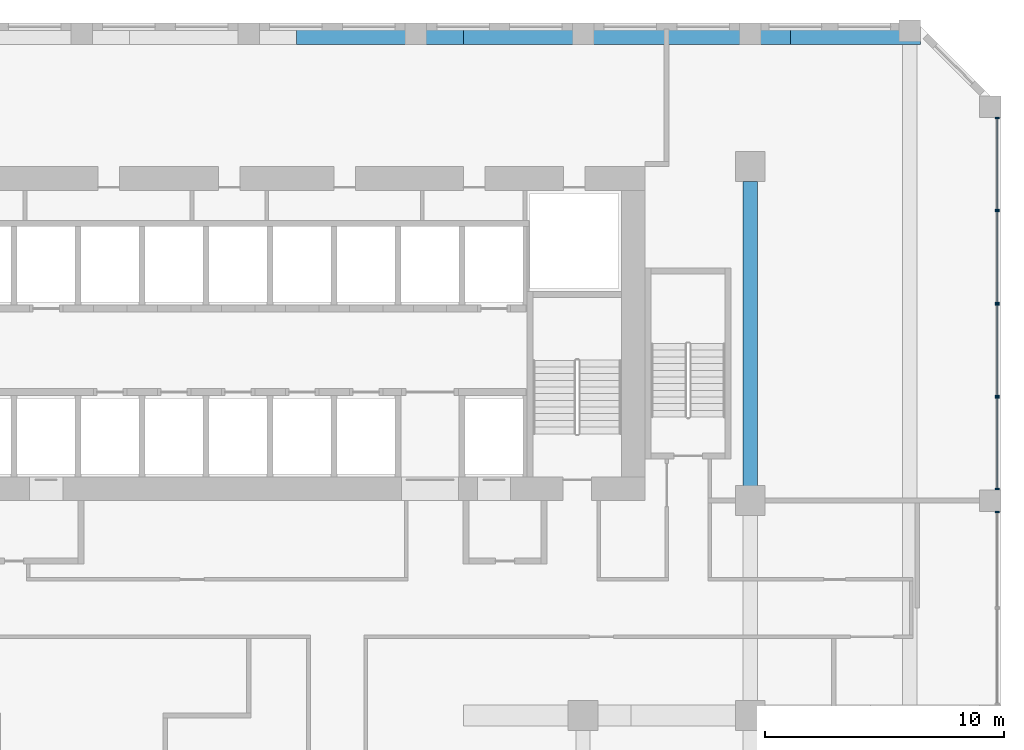
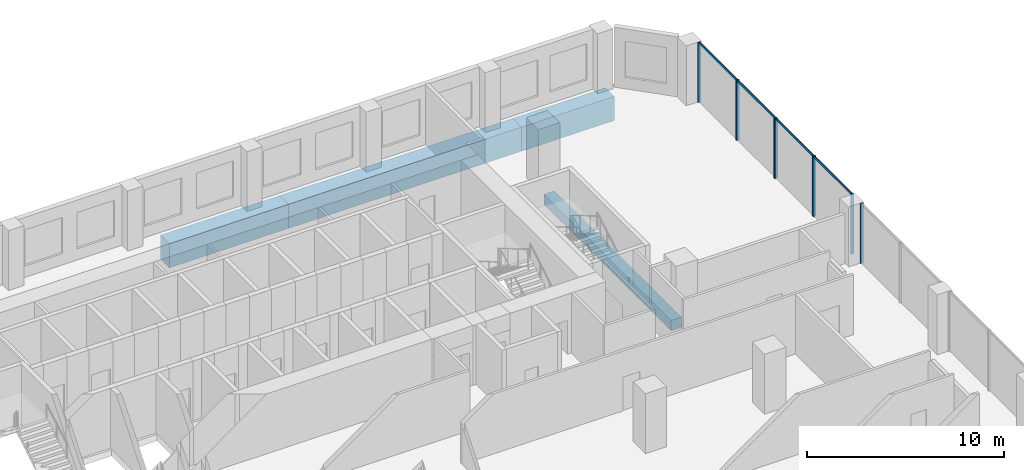
# One storey, part 10 of 20: 13 members, 4 beams, 5 elements without a shape of their own.
"""IFC4 building model written with IfcOpenShell, lengths in metres."""

from ifc_helpers import new_model, si_unit, direction, frame, origin, origin_2d, place, context, subcontext, project, spatial, rectangle, extrude, source, transform, mapped, material, material_profile, profile_set, type_object, element, aggregate, save


model = new_model("IFC4")

# Units and contexts
model_context = context("Model", 3, precision=1e-05, world=origin(), true_north=direction((0.0, 1.0)))
body_context = subcontext(model_context, "Body", "Model", "MODEL_VIEW")
ifc_project = project(units=[si_unit("LENGTHUNIT", "METRE"), si_unit("AREAUNIT", "SQUARE_METRE"), si_unit("VOLUMEUNIT", "CUBIC_METRE"), si_unit("PLANEANGLEUNIT", "RADIAN"), si_unit("MASSUNIT", "GRAM", prefix="KILO")], contexts=[model_context])

# Site, building, storey
site_placement = place(None, origin())
site = spatial("IfcSite", under=ifc_project, at=site_placement, CompositionType="ELEMENT")
building_placement = place(site_placement, origin())
building = spatial("IfcBuilding", under=site, at=building_placement, Name="Kilnfold Tower and Market Hall", CompositionType="ELEMENT")
storey_placement = place(building_placement, frame((0.0, 0.0, 63.199951171875)))
storey = spatial("IfcBuildingStorey", under=building, at=storey_placement, Name="L14", CompositionType="ELEMENT", Elevation=63.199951171875)

# Beams
ifc_material_1 = material(Name="Concrete C60", Category="concrete")
ifc_material_profile_1 = material_profile(ifc_material_1, rectangle(XDim=0.89990234375, YDim=1.5, at=origin_2d()), Name="RC 900x1500")
ifc_profile_set_1 = profile_set([ifc_material_profile_1], Name="Concrete C60")
beam_type_1 = type_object("IfcBeamType", Name="TRANSFER GIRDER 900X1500 C60", PredefinedType="BEAM", material=ifc_profile_set_1)
shared_shape_1 = source(origin(), body_context, "Body", "SweptSolid", [
    extrude(rectangle(XDim=0.89990234375, YDim=1.5, at=origin_2d()), origin(), (0.0, 0.0, 1.0), 7.0),
])
beam_1_placement = place(storey_placement, frame((3.5, 27.550048828125, -1.14990234375), z_axis=(1.0, 0.0, 0.0), x_axis=(0.0, 1.0, 0.0)))
element("IfcBeam", 1, at=beam_1_placement, inside=storey, type_object=beam_type_1, Name="Beam TG1500-B2.23", PredefinedType="BEAM", context=body_context, shape_type="MappedRepresentation", body=[
    mapped(shared_shape_1, transform((0.0, 0.0, 0.0))),
])
shared_shape_2 = source(origin(), body_context, "Body", "SweptSolid", [
    extrude(rectangle(XDim=0.89990234375, YDim=1.5, at=origin_2d()), origin(), (0.0, 0.0, 1.0), 13.681884765625),
])
beam_2_placement = place(storey_placement, frame((10.5, 27.550048828125, -1.14990234375), z_axis=(1.0, 0.0, 0.0), x_axis=(0.0, 1.0, 0.0)))
element("IfcBeam", 2, at=beam_2_placement, inside=storey, type_object=beam_type_1, Name="Beam TG1500-B2.28", PredefinedType="BEAM", context=body_context, shape_type="MappedRepresentation", body=[
    mapped(shared_shape_2, transform((0.0, 0.0, 0.0))),
])
shared_shape_3 = source(origin(), body_context, "Body", "SweptSolid", [
    extrude(rectangle(XDim=0.89990234375, YDim=1.5, at=origin_2d()), origin(), (0.0, 0.0, 1.0), 5.449951171875),
])
beam_3_placement = place(storey_placement, frame((24.181884765625, 27.550048828125, -1.14990234375), z_axis=(1.0, 0.0, 0.0), x_axis=(0.0, 1.0, 0.0)))
element("IfcBeam", 3, at=beam_3_placement, inside=storey, type_object=beam_type_1, Name="Beam TG1500-B2.32", PredefinedType="BEAM", context=body_context, shape_type="MappedRepresentation", body=[
    mapped(shared_shape_3, transform((0.0, 0.0, 0.0))),
])
ifc_material_2 = material(Name="Concrete C45", Category="concrete")
ifc_material_profile_2 = material_profile(ifc_material_2, rectangle(XDim=0.60009765625, YDim=0.64990234375, at=origin_2d()), Name="RC 600x650")
ifc_profile_set_2 = profile_set([ifc_material_profile_2], Name="Concrete C45")
beam_type_2 = type_object("IfcBeamType", Name="BEAM 600X650 C45", PredefinedType="BEAM", material=ifc_profile_set_2)
shared_shape_4 = source(origin(), body_context, "Body", "SweptSolid", [
    extrude(rectangle(XDim=0.60009765625, YDim=0.64990234375, at=origin_2d()), origin(), (0.0, 0.0, 1.0), 12.925048828125),
])
beam_4_placement = place(storey_placement, frame((22.5, 8.449951171875, -0.724853515625), z_axis=(0.0, 1.0, 0.0), x_axis=(-1.0, 0.0, 0.0)))
element("IfcBeam", 4, at=beam_4_placement, inside=storey, type_object=beam_type_2, Name="Beam BB650-B2.58", PredefinedType="BEAM", context=body_context, shape_type="MappedRepresentation", body=[
    mapped(shared_shape_4, transform((0.0, 0.0, 0.0))),
])

# Curtain wall, member
ifc_material_3 = material(Name="Aluminium and double glazing", Category="aluminium")
curtain_wall_type = type_object("IfcCurtainWallType", Name="CW OF1 VALLEY GLAZING", PredefinedType="NOTDEFINED", material=ifc_material_3)
curtain_wall_1_placement = place(storey_placement, origin())
curtain_wall_1 = element("IfcCurtainWall", 5, at=curtain_wall_1_placement, inside=storey, type_object=curtain_wall_type, Name="Curtain wall CW1 L14 E", PredefinedType="NOTDEFINED")
ifc_material_4 = material(Name="Aluminium", Category="aluminium")
ifc_material_profile_3 = material_profile(ifc_material_4, rectangle(XDim=0.06005859375, YDim=0.179931640625, at=origin_2d()), Name="MULLION 60x180")
ifc_profile_set_3 = profile_set([ifc_material_profile_3], Name="Aluminium")
member_type_1 = type_object("IfcMemberType", Name="MULLION 60X180", PredefinedType="MULLION", material=ifc_profile_set_3)
shared_shape_5 = source(origin(), body_context, "Body", "SweptSolid", [
    extrude(rectangle(XDim=0.06005859375, YDim=0.179931640625, at=origin_2d()), origin(), (0.0, 0.0, 1.0), 3.719970703125),
])
member_1_placement = place(storey_placement, frame((32.85009765625, 7.52001953125, 0.0), z_axis=(0.0, 0.0, 1.0), x_axis=(0.0, 1.0, 0.0)))
member_1 = element("IfcMember", 6, at=member_1_placement, type_object=member_type_1, Name="CW1 mullion 2", PredefinedType="MULLION", context=body_context, shape_type="MappedRepresentation", body=[
    mapped(shared_shape_5, transform((0.0, 0.0, 0.0))),
])
aggregate(curtain_wall_1, [member_1])

# Curtain wall, members
curtain_wall_2_placement = place(storey_placement, origin())
curtain_wall_2 = element("IfcCurtainWall", 7, at=curtain_wall_2_placement, inside=storey, type_object=curtain_wall_type, Name="Curtain wall CW1 L14 E", PredefinedType="NOTDEFINED")
member_2_placement = place(storey_placement, frame((32.85009765625, 8.47998046875, 0.0), z_axis=(0.0, 0.0, 1.0), x_axis=(0.0, 1.0, 0.0)))
member_2 = element("IfcMember", 8, at=member_2_placement, type_object=member_type_1, Name="CW1 mullion 1", PredefinedType="MULLION", context=body_context, shape_type="MappedRepresentation", body=[
    mapped(shared_shape_5, transform((0.0, 0.0, 0.0))),
])
member_3_placement = place(storey_placement, frame((32.85009765625, 12.320068359375, 0.0), z_axis=(0.0, 0.0, 1.0), x_axis=(0.0, 1.0, 0.0)))
member_3 = element("IfcMember", 9, at=member_3_placement, type_object=member_type_1, Name="CW1 mullion 2", PredefinedType="MULLION", context=body_context, shape_type="MappedRepresentation", body=[
    mapped(shared_shape_5, transform((0.0, 0.0, 0.0))),
])

curtain_wall_3_placement = place(storey_placement, origin())
curtain_wall_3 = element("IfcCurtainWall", 10, at=curtain_wall_3_placement, inside=storey, type_object=curtain_wall_type, Name="Curtain wall CW1 L14 E", PredefinedType="NOTDEFINED")
member_4_placement = place(storey_placement, frame((32.85009765625, 12.3798828125, 0.0), z_axis=(0.0, 0.0, 1.0), x_axis=(0.0, 1.0, 0.0)))
member_4 = element("IfcMember", 11, at=member_4_placement, type_object=member_type_1, Name="CW1 mullion 1", PredefinedType="MULLION", context=body_context, shape_type="MappedRepresentation", body=[
    mapped(shared_shape_5, transform((0.0, 0.0, 0.0))),
])
member_5_placement = place(storey_placement, frame((32.85009765625, 16.219970703125, 0.0), z_axis=(0.0, 0.0, 1.0), x_axis=(0.0, 1.0, 0.0)))
member_5 = element("IfcMember", 12, at=member_5_placement, type_object=member_type_1, Name="CW1 mullion 2", PredefinedType="MULLION", context=body_context, shape_type="MappedRepresentation", body=[
    mapped(shared_shape_5, transform((0.0, 0.0, 0.0))),
])

curtain_wall_4_placement = place(storey_placement, origin())
curtain_wall_4 = element("IfcCurtainWall", 13, at=curtain_wall_4_placement, inside=storey, type_object=curtain_wall_type, Name="Curtain wall CW1 L14 E", PredefinedType="NOTDEFINED")
member_6_placement = place(storey_placement, frame((32.85009765625, 16.280029296875, 0.0), z_axis=(0.0, 0.0, 1.0), x_axis=(0.0, 1.0, 0.0)))
member_6 = element("IfcMember", 14, at=member_6_placement, type_object=member_type_1, Name="CW1 mullion 1", PredefinedType="MULLION", context=body_context, shape_type="MappedRepresentation", body=[
    mapped(shared_shape_5, transform((0.0, 0.0, 0.0))),
])
member_7_placement = place(storey_placement, frame((32.85009765625, 20.1201171875, 0.0), z_axis=(0.0, 0.0, 1.0), x_axis=(0.0, 1.0, 0.0)))
member_7 = element("IfcMember", 15, at=member_7_placement, type_object=member_type_1, Name="CW1 mullion 2", PredefinedType="MULLION", context=body_context, shape_type="MappedRepresentation", body=[
    mapped(shared_shape_5, transform((0.0, 0.0, 0.0))),
])

curtain_wall_5_placement = place(storey_placement, origin())
curtain_wall_5 = element("IfcCurtainWall", 16, at=curtain_wall_5_placement, inside=storey, type_object=curtain_wall_type, Name="Curtain wall CW1 L14 E", PredefinedType="NOTDEFINED")
member_8_placement = place(storey_placement, frame((32.85009765625, 20.179931640625, 0.0), z_axis=(0.0, 0.0, 1.0), x_axis=(0.0, 1.0, 0.0)))
member_8 = element("IfcMember", 17, at=member_8_placement, type_object=member_type_1, Name="CW1 mullion 1", PredefinedType="MULLION", context=body_context, shape_type="MappedRepresentation", body=[
    mapped(shared_shape_5, transform((0.0, 0.0, 0.0))),
])
member_9_placement = place(storey_placement, frame((32.85009765625, 24.02001953125, 0.0), z_axis=(0.0, 0.0, 1.0), x_axis=(0.0, 1.0, 0.0)))
member_9 = element("IfcMember", 18, at=member_9_placement, type_object=member_type_1, Name="CW1 mullion 2", PredefinedType="MULLION", context=body_context, shape_type="MappedRepresentation", body=[
    mapped(shared_shape_5, transform((0.0, 0.0, 0.0))),
])

# Member
ifc_material_5 = material(Name="Aluminium", Category="aluminium")
ifc_material_profile_4 = material_profile(ifc_material_5, rectangle(XDim=0.06005859375, YDim=0.139892578125, at=origin_2d()), Name="TRANSOM 60x140")
ifc_profile_set_4 = profile_set([ifc_material_profile_4], Name="Aluminium")
member_type_2 = type_object("IfcMemberType", Name="TRANSOM 60X140", PredefinedType="USERDEFINED", material=ifc_profile_set_4)
shared_shape_6 = source(origin(), body_context, "Body", "SweptSolid", [
    extrude(rectangle(XDim=0.06005859375, YDim=0.139892578125, at=origin_2d()), origin(), (0.0, 0.0, 1.0), 3.780029296875),
])
member_10_placement = place(storey_placement, frame((32.85009765625, 8.510009765625, 3.68994140625), z_axis=(0.0, 1.0, 0.0), x_axis=(-1.0, 0.0, 0.0)))
member_10 = element("IfcMember", 19, at=member_10_placement, type_object=member_type_2, Name="CW1 transom 1.2", ObjectType="TRANSOM", PredefinedType="USERDEFINED", context=body_context, shape_type="MappedRepresentation", body=[
    mapped(shared_shape_6, transform((0.0, 0.0, 0.0))),
])

aggregate(curtain_wall_2, [member_2, member_3, member_10])

member_11_placement = place(storey_placement, frame((32.85009765625, 12.409912109375, 3.68994140625), z_axis=(0.0, 1.0, 0.0), x_axis=(-1.0, 0.0, 0.0)))
member_11 = element("IfcMember", 20, at=member_11_placement, type_object=member_type_2, Name="CW1 transom 1.2", ObjectType="TRANSOM", PredefinedType="USERDEFINED", context=body_context, shape_type="MappedRepresentation", body=[
    mapped(shared_shape_6, transform((0.0, 0.0, 0.0))),
])

aggregate(curtain_wall_3, [member_4, member_5, member_11])

member_12_placement = place(storey_placement, frame((32.85009765625, 16.31005859375, 3.68994140625), z_axis=(0.0, 1.0, 0.0), x_axis=(-1.0, 0.0, 0.0)))
member_12 = element("IfcMember", 21, at=member_12_placement, type_object=member_type_2, Name="CW1 transom 1.2", ObjectType="TRANSOM", PredefinedType="USERDEFINED", context=body_context, shape_type="MappedRepresentation", body=[
    mapped(shared_shape_6, transform((0.0, 0.0, 0.0))),
])

aggregate(curtain_wall_4, [member_6, member_7, member_12])

member_13_placement = place(storey_placement, frame((32.85009765625, 20.2099609375, 3.68994140625), z_axis=(0.0, 1.0, 0.0), x_axis=(-1.0, 0.0, 0.0)))
member_13 = element("IfcMember", 22, at=member_13_placement, type_object=member_type_2, Name="CW1 transom 1.2", ObjectType="TRANSOM", PredefinedType="USERDEFINED", context=body_context, shape_type="MappedRepresentation", body=[
    mapped(shared_shape_6, transform((0.0, 0.0, 0.0))),
])

aggregate(curtain_wall_5, [member_8, member_9, member_13])

save(model, "model.ifc")
